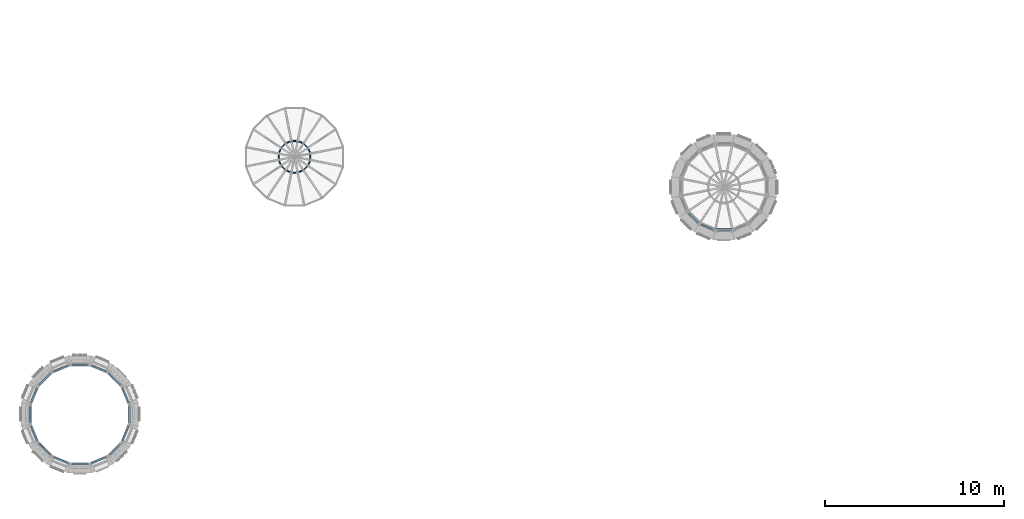
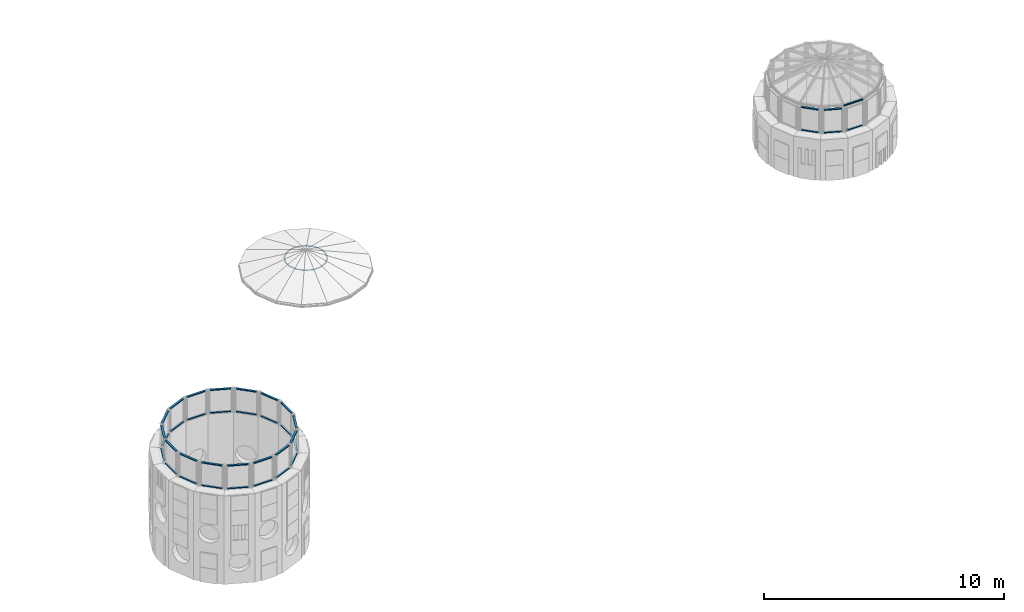
# One storey, part 16 of 36: 54 members, 19 elements without a shape of their own.
"""IFC4 building model written with IfcOpenShell, lengths in metres."""

from ifc_helpers import new_model, si_unit, direction, frame, origin, origin_2d, place, context, subcontext, project, spatial, hollow_rectangle, hollow_circle, extrude, material, material_profile, profile_set, type_object, element, aggregate, save


model = new_model("IFC4")

# Units and contexts
model_context = context("Model", 3, precision=1e-05, world=origin(), true_north=direction((0.0, 1.0)))
body_context = subcontext(model_context, "Body", "Model", "MODEL_VIEW")
ifc_project = project(units=[si_unit("LENGTHUNIT", "METRE"), si_unit("AREAUNIT", "SQUARE_METRE"), si_unit("VOLUMEUNIT", "CUBIC_METRE"), si_unit("PLANEANGLEUNIT", "RADIAN"), si_unit("MASSUNIT", "GRAM", prefix="KILO")], contexts=[model_context])

# Site, building, storey
site_placement = place(None, origin())
site = spatial("IfcSite", under=ifc_project, at=site_placement, CompositionType="ELEMENT")
building_placement = place(site_placement, origin())
building = spatial("IfcBuilding", under=site, at=building_placement, Name="Sun Court Science Centre", CompositionType="ELEMENT")
storey_placement = place(building_placement, frame((0.0, 0.0, 24.75)))
storey = spatial("IfcBuildingStorey", under=building, at=storey_placement, Name="L05", CompositionType="ELEMENT", Elevation=24.75)

# Curtain wall, members
ifc_material_1 = material(Name="Aluminium EN AW-6063 T6", Category="aluminium")
curtain_wall_type = type_object("IfcCurtainWallType", Name="Lantern clerestory curtain wall 1500", PredefinedType="NOTDEFINED", material=ifc_material_1)
curtain_wall_1_placement = place(storey_placement, origin())
curtain_wall_1 = element("IfcCurtainWall", 1, at=curtain_wall_1_placement, inside=storey, type_object=curtain_wall_type, Name="Curtain wall V2 C1 clerestory L05 01", PredefinedType="NOTDEFINED")
ifc_material_2 = material(Name="Aluminium EN AW-6063 T6", Category="aluminium")
ifc_material_profile_1 = material_profile(ifc_material_2, hollow_rectangle(XDim=0.050048828125, YDim=0.10009765625, WallThickness=0.00390625, InnerFilletRadius=0.00390625, OuterFilletRadius=0.006103515625, at=origin_2d()), Name="AL 50x100x4")
ifc_profile_set_1 = profile_set([ifc_material_profile_1], Name="Aluminium EN AW-6063 T6")
member_type_1 = type_object("IfcMemberType", Name="Curtain wall transom AL 50x100", PredefinedType="USERDEFINED", material=ifc_profile_set_1)
member_1_placement = place(storey_placement, frame((8.392578125, 12.972412109375, 4.22509765625), z_axis=(0.38272358974, -0.923862897759, 0.0), x_axis=(0.0, 0.0, 1.0)))
member_1 = element("IfcMember", 2, at=member_1_placement, type_object=member_type_1, Name="CW4-01 transom 1.1", ObjectType="TRANSOM", PredefinedType="USERDEFINED", context=body_context, shape_type="SweptSolid", body=[
    extrude(hollow_rectangle(XDim=0.050048828125, YDim=0.10009765625, WallThickness=0.00390625, InnerFilletRadius=0.00390625, OuterFilletRadius=0.006103515625, at=origin_2d()), origin(), (0.0, 0.0, 1.0), 0.88916015625),
])
member_2_placement = place(storey_placement, frame((8.392578125, 12.972412109375, 5.375), z_axis=(0.38272358974, -0.923862897759, 0.0), x_axis=(0.0, 0.0, 1.0)))
member_2 = element("IfcMember", 3, at=member_2_placement, type_object=member_type_1, Name="CW4-01 transom 1.2", ObjectType="TRANSOM", PredefinedType="USERDEFINED", context=body_context, shape_type="SweptSolid", body=[
    extrude(hollow_rectangle(XDim=0.050048828125, YDim=0.10009765625, WallThickness=0.00390625, InnerFilletRadius=0.00390625, OuterFilletRadius=0.006103515625, at=origin_2d()), origin(), (0.0, 0.0, 1.0), 0.88916015625),
])
aggregate(curtain_wall_1, [member_1, member_2])

curtain_wall_2_placement = place(storey_placement, origin())
curtain_wall_2 = element("IfcCurtainWall", 4, at=curtain_wall_2_placement, inside=storey, type_object=curtain_wall_type, Name="Curtain wall V2 C1 clerestory L05 02", PredefinedType="NOTDEFINED")
member_3_placement = place(storey_placement, frame((7.64697265625, 13.77587890625, 4.22509765625), z_axis=(0.707106781187, -0.707106781187, 0.0), x_axis=(0.0, 0.0, 1.0)))
member_3 = element("IfcMember", 5, at=member_3_placement, type_object=member_type_1, Name="CW4-02 transom 1.1", ObjectType="TRANSOM", PredefinedType="USERDEFINED", context=body_context, shape_type="SweptSolid", body=[
    extrude(hollow_rectangle(XDim=0.050048828125, YDim=0.10009765625, WallThickness=0.00390625, InnerFilletRadius=0.00390625, OuterFilletRadius=0.006103515625, at=origin_2d()), origin(), (0.0, 0.0, 1.0), 0.889404296875),
])
member_4_placement = place(storey_placement, frame((7.64697265625, 13.77587890625, 5.375), z_axis=(0.707106781187, -0.707106781187, 0.0), x_axis=(0.0, 0.0, 1.0)))
member_4 = element("IfcMember", 6, at=member_4_placement, type_object=member_type_1, Name="CW4-02 transom 1.2", ObjectType="TRANSOM", PredefinedType="USERDEFINED", context=body_context, shape_type="SweptSolid", body=[
    extrude(hollow_rectangle(XDim=0.050048828125, YDim=0.10009765625, WallThickness=0.00390625, InnerFilletRadius=0.00390625, OuterFilletRadius=0.006103515625, at=origin_2d()), origin(), (0.0, 0.0, 1.0), 0.889404296875),
])
aggregate(curtain_wall_2, [member_3, member_4])

curtain_wall_3_placement = place(storey_placement, origin())
curtain_wall_3 = element("IfcCurtainWall", 7, at=curtain_wall_3_placement, inside=storey, type_object=curtain_wall_type, Name="Curtain wall V2 C1 clerestory L05 03", PredefinedType="NOTDEFINED")
member_5_placement = place(storey_placement, frame((6.65087890625, 14.23291015625, 4.22509765625), z_axis=(0.923862897759, -0.38272358974, 0.0), x_axis=(0.0, 0.0, 1.0)))
member_5 = element("IfcMember", 8, at=member_5_placement, type_object=member_type_1, Name="CW4-03 transom 1.1", ObjectType="TRANSOM", PredefinedType="USERDEFINED", context=body_context, shape_type="SweptSolid", body=[
    extrude(hollow_rectangle(XDim=0.050048828125, YDim=0.10009765625, WallThickness=0.00390625, InnerFilletRadius=0.00390625, OuterFilletRadius=0.006103515625, at=origin_2d()), origin(), (0.0, 0.0, 1.0), 0.88916015625),
])
member_6_placement = place(storey_placement, frame((6.65087890625, 14.23291015625, 5.375), z_axis=(0.923862897759, -0.38272358974, 0.0), x_axis=(0.0, 0.0, 1.0)))
member_6 = element("IfcMember", 9, at=member_6_placement, type_object=member_type_1, Name="CW4-03 transom 1.2", ObjectType="TRANSOM", PredefinedType="USERDEFINED", context=body_context, shape_type="SweptSolid", body=[
    extrude(hollow_rectangle(XDim=0.050048828125, YDim=0.10009765625, WallThickness=0.00390625, InnerFilletRadius=0.00390625, OuterFilletRadius=0.006103515625, at=origin_2d()), origin(), (0.0, 0.0, 1.0), 0.88916015625),
])
aggregate(curtain_wall_3, [member_5, member_6])

curtain_wall_4_placement = place(storey_placement, origin())
curtain_wall_4 = element("IfcCurtainWall", 10, at=curtain_wall_4_placement, inside=storey, type_object=curtain_wall_type, Name="Curtain wall V2 C1 clerestory L05 04", PredefinedType="NOTDEFINED")
member_7_placement = place(storey_placement, frame((5.555419921875, 14.27392578125, 4.22509765625), z_axis=(1.0, 0.0, 0.0), x_axis=(0.0, 0.0, 1.0)))
member_7 = element("IfcMember", 11, at=member_7_placement, type_object=member_type_1, Name="CW4-04 transom 1.1", ObjectType="TRANSOM", PredefinedType="USERDEFINED", context=body_context, shape_type="SweptSolid", body=[
    extrude(hollow_rectangle(XDim=0.050048828125, YDim=0.10009765625, WallThickness=0.00390625, InnerFilletRadius=0.00390625, OuterFilletRadius=0.006103515625, at=origin_2d()), origin(), (0.0, 0.0, 1.0), 0.88916015625),
])
member_8_placement = place(storey_placement, frame((5.555419921875, 14.27392578125, 5.375), z_axis=(1.0, 0.0, 0.0), x_axis=(0.0, 0.0, 1.0)))
member_8 = element("IfcMember", 12, at=member_8_placement, type_object=member_type_1, Name="CW4-04 transom 1.2", ObjectType="TRANSOM", PredefinedType="USERDEFINED", context=body_context, shape_type="SweptSolid", body=[
    extrude(hollow_rectangle(XDim=0.050048828125, YDim=0.10009765625, WallThickness=0.00390625, InnerFilletRadius=0.00390625, OuterFilletRadius=0.006103515625, at=origin_2d()), origin(), (0.0, 0.0, 1.0), 0.88916015625),
])
aggregate(curtain_wall_4, [member_7, member_8])

curtain_wall_5_placement = place(storey_placement, origin())
curtain_wall_5 = element("IfcCurtainWall", 13, at=curtain_wall_5_placement, inside=storey, type_object=curtain_wall_type, Name="Curtain wall V2 C1 clerestory L05 05", PredefinedType="NOTDEFINED")
member_9_placement = place(storey_placement, frame((4.527587890625, 13.892578125, 4.22509765625), z_axis=(0.923862897759, 0.38272358974, 0.0), x_axis=(0.0, 0.0, 1.0)))
member_9 = element("IfcMember", 14, at=member_9_placement, type_object=member_type_1, Name="CW4-05 transom 1.1", ObjectType="TRANSOM", PredefinedType="USERDEFINED", context=body_context, shape_type="SweptSolid", body=[
    extrude(hollow_rectangle(XDim=0.050048828125, YDim=0.10009765625, WallThickness=0.00390625, InnerFilletRadius=0.00390625, OuterFilletRadius=0.006103515625, at=origin_2d()), origin(), (0.0, 0.0, 1.0), 0.88916015625),
])
member_10_placement = place(storey_placement, frame((4.527587890625, 13.892578125, 5.375), z_axis=(0.923862897759, 0.38272358974, 0.0), x_axis=(0.0, 0.0, 1.0)))
member_10 = element("IfcMember", 15, at=member_10_placement, type_object=member_type_1, Name="CW4-05 transom 1.2", ObjectType="TRANSOM", PredefinedType="USERDEFINED", context=body_context, shape_type="SweptSolid", body=[
    extrude(hollow_rectangle(XDim=0.050048828125, YDim=0.10009765625, WallThickness=0.00390625, InnerFilletRadius=0.00390625, OuterFilletRadius=0.006103515625, at=origin_2d()), origin(), (0.0, 0.0, 1.0), 0.88916015625),
])
aggregate(curtain_wall_5, [member_9, member_10])

curtain_wall_6_placement = place(storey_placement, origin())
curtain_wall_6 = element("IfcCurtainWall", 16, at=curtain_wall_6_placement, inside=storey, type_object=curtain_wall_type, Name="Curtain wall V2 C1 clerestory L05 06", PredefinedType="NOTDEFINED")
member_11_placement = place(storey_placement, frame((3.72412109375, 13.14697265625, 4.22509765625), z_axis=(0.707106781187, 0.707106781187, 0.0), x_axis=(0.0, 0.0, 1.0)))
member_11 = element("IfcMember", 17, at=member_11_placement, type_object=member_type_1, Name="CW4-06 transom 1.1", ObjectType="TRANSOM", PredefinedType="USERDEFINED", context=body_context, shape_type="SweptSolid", body=[
    extrude(hollow_rectangle(XDim=0.050048828125, YDim=0.10009765625, WallThickness=0.00390625, InnerFilletRadius=0.00390625, OuterFilletRadius=0.006103515625, at=origin_2d()), origin(), (0.0, 0.0, 1.0), 0.889404296875),
])
member_12_placement = place(storey_placement, frame((3.72412109375, 13.14697265625, 5.375), z_axis=(0.707106781187, 0.707106781187, 0.0), x_axis=(0.0, 0.0, 1.0)))
member_12 = element("IfcMember", 18, at=member_12_placement, type_object=member_type_1, Name="CW4-06 transom 1.2", ObjectType="TRANSOM", PredefinedType="USERDEFINED", context=body_context, shape_type="SweptSolid", body=[
    extrude(hollow_rectangle(XDim=0.050048828125, YDim=0.10009765625, WallThickness=0.00390625, InnerFilletRadius=0.00390625, OuterFilletRadius=0.006103515625, at=origin_2d()), origin(), (0.0, 0.0, 1.0), 0.889404296875),
])
aggregate(curtain_wall_6, [member_11, member_12])

curtain_wall_7_placement = place(storey_placement, origin())
curtain_wall_7 = element("IfcCurtainWall", 19, at=curtain_wall_7_placement, inside=storey, type_object=curtain_wall_type, Name="Curtain wall V2 C1 clerestory L05 07", PredefinedType="NOTDEFINED")
member_13_placement = place(storey_placement, frame((3.26708984375, 12.15087890625, 4.22509765625), z_axis=(0.38272358974, 0.923862897759, 0.0), x_axis=(0.0, 0.0, 1.0)))
member_13 = element("IfcMember", 20, at=member_13_placement, type_object=member_type_1, Name="CW4-07 transom 1.1", ObjectType="TRANSOM", PredefinedType="USERDEFINED", context=body_context, shape_type="SweptSolid", body=[
    extrude(hollow_rectangle(XDim=0.050048828125, YDim=0.10009765625, WallThickness=0.00390625, InnerFilletRadius=0.00390625, OuterFilletRadius=0.006103515625, at=origin_2d()), origin(), (0.0, 0.0, 1.0), 0.88916015625),
])
member_14_placement = place(storey_placement, frame((3.26708984375, 12.15087890625, 5.375), z_axis=(0.38272358974, 0.923862897759, 0.0), x_axis=(0.0, 0.0, 1.0)))
member_14 = element("IfcMember", 21, at=member_14_placement, type_object=member_type_1, Name="CW4-07 transom 1.2", ObjectType="TRANSOM", PredefinedType="USERDEFINED", context=body_context, shape_type="SweptSolid", body=[
    extrude(hollow_rectangle(XDim=0.050048828125, YDim=0.10009765625, WallThickness=0.00390625, InnerFilletRadius=0.00390625, OuterFilletRadius=0.006103515625, at=origin_2d()), origin(), (0.0, 0.0, 1.0), 0.88916015625),
])
aggregate(curtain_wall_7, [member_13, member_14])

curtain_wall_8_placement = place(storey_placement, origin())
curtain_wall_8 = element("IfcCurtainWall", 22, at=curtain_wall_8_placement, inside=storey, type_object=curtain_wall_type, Name="Curtain wall V2 C1 clerestory L05 08", PredefinedType="NOTDEFINED")
member_15_placement = place(storey_placement, frame((3.22607421875, 11.055419921875, 4.22509765625), z_axis=(0.0, 1.0, 0.0), x_axis=(0.0, 0.0, 1.0)))
member_15 = element("IfcMember", 23, at=member_15_placement, type_object=member_type_1, Name="CW4-08 transom 1.1", ObjectType="TRANSOM", PredefinedType="USERDEFINED", context=body_context, shape_type="SweptSolid", body=[
    extrude(hollow_rectangle(XDim=0.050048828125, YDim=0.10009765625, WallThickness=0.00390625, InnerFilletRadius=0.00390625, OuterFilletRadius=0.006103515625, at=origin_2d()), origin(), (0.0, 0.0, 1.0), 0.88916015625),
])
member_16_placement = place(storey_placement, frame((3.22607421875, 11.055419921875, 5.375), z_axis=(0.0, 1.0, 0.0), x_axis=(0.0, 0.0, 1.0)))
member_16 = element("IfcMember", 24, at=member_16_placement, type_object=member_type_1, Name="CW4-08 transom 1.2", ObjectType="TRANSOM", PredefinedType="USERDEFINED", context=body_context, shape_type="SweptSolid", body=[
    extrude(hollow_rectangle(XDim=0.050048828125, YDim=0.10009765625, WallThickness=0.00390625, InnerFilletRadius=0.00390625, OuterFilletRadius=0.006103515625, at=origin_2d()), origin(), (0.0, 0.0, 1.0), 0.88916015625),
])
aggregate(curtain_wall_8, [member_15, member_16])

curtain_wall_9_placement = place(storey_placement, origin())
curtain_wall_9 = element("IfcCurtainWall", 25, at=curtain_wall_9_placement, inside=storey, type_object=curtain_wall_type, Name="Curtain wall V2 C1 clerestory L05 09", PredefinedType="NOTDEFINED")
member_17_placement = place(storey_placement, frame((3.607421875, 10.027587890625, 4.22509765625), z_axis=(-0.38272358974, 0.923862897759, 0.0), x_axis=(0.0, 0.0, 1.0)))
member_17 = element("IfcMember", 26, at=member_17_placement, type_object=member_type_1, Name="CW4-09 transom 1.1", ObjectType="TRANSOM", PredefinedType="USERDEFINED", context=body_context, shape_type="SweptSolid", body=[
    extrude(hollow_rectangle(XDim=0.050048828125, YDim=0.10009765625, WallThickness=0.00390625, InnerFilletRadius=0.00390625, OuterFilletRadius=0.006103515625, at=origin_2d()), origin(), (0.0, 0.0, 1.0), 0.88916015625),
])
member_18_placement = place(storey_placement, frame((3.607421875, 10.027587890625, 5.375), z_axis=(-0.38272358974, 0.923862897759, 0.0), x_axis=(0.0, 0.0, 1.0)))
member_18 = element("IfcMember", 27, at=member_18_placement, type_object=member_type_1, Name="CW4-09 transom 1.2", ObjectType="TRANSOM", PredefinedType="USERDEFINED", context=body_context, shape_type="SweptSolid", body=[
    extrude(hollow_rectangle(XDim=0.050048828125, YDim=0.10009765625, WallThickness=0.00390625, InnerFilletRadius=0.00390625, OuterFilletRadius=0.006103515625, at=origin_2d()), origin(), (0.0, 0.0, 1.0), 0.88916015625),
])
aggregate(curtain_wall_9, [member_17, member_18])

curtain_wall_10_placement = place(storey_placement, origin())
curtain_wall_10 = element("IfcCurtainWall", 28, at=curtain_wall_10_placement, inside=storey, type_object=curtain_wall_type, Name="Curtain wall V2 C1 clerestory L05 10", PredefinedType="NOTDEFINED")
member_19_placement = place(storey_placement, frame((4.35302734375, 9.22412109375, 4.22509765625), z_axis=(-0.707106781187, 0.707106781187, 0.0), x_axis=(0.0, 0.0, 1.0)))
member_19 = element("IfcMember", 29, at=member_19_placement, type_object=member_type_1, Name="CW4-10 transom 1.1", ObjectType="TRANSOM", PredefinedType="USERDEFINED", context=body_context, shape_type="SweptSolid", body=[
    extrude(hollow_rectangle(XDim=0.050048828125, YDim=0.10009765625, WallThickness=0.00390625, InnerFilletRadius=0.00390625, OuterFilletRadius=0.006103515625, at=origin_2d()), origin(), (0.0, 0.0, 1.0), 0.889404296875),
])
member_20_placement = place(storey_placement, frame((4.35302734375, 9.22412109375, 5.375), z_axis=(-0.707106781187, 0.707106781187, 0.0), x_axis=(0.0, 0.0, 1.0)))
member_20 = element("IfcMember", 30, at=member_20_placement, type_object=member_type_1, Name="CW4-10 transom 1.2", ObjectType="TRANSOM", PredefinedType="USERDEFINED", context=body_context, shape_type="SweptSolid", body=[
    extrude(hollow_rectangle(XDim=0.050048828125, YDim=0.10009765625, WallThickness=0.00390625, InnerFilletRadius=0.00390625, OuterFilletRadius=0.006103515625, at=origin_2d()), origin(), (0.0, 0.0, 1.0), 0.889404296875),
])
aggregate(curtain_wall_10, [member_19, member_20])

curtain_wall_11_placement = place(storey_placement, origin())
curtain_wall_11 = element("IfcCurtainWall", 31, at=curtain_wall_11_placement, inside=storey, type_object=curtain_wall_type, Name="Curtain wall V2 C1 clerestory L05 11", PredefinedType="NOTDEFINED")
member_21_placement = place(storey_placement, frame((5.34912109375, 8.76708984375, 4.22509765625), z_axis=(-0.923862897759, 0.38272358974, 0.0), x_axis=(0.0, 0.0, 1.0)))
member_21 = element("IfcMember", 32, at=member_21_placement, type_object=member_type_1, Name="CW4-11 transom 1.1", ObjectType="TRANSOM", PredefinedType="USERDEFINED", context=body_context, shape_type="SweptSolid", body=[
    extrude(hollow_rectangle(XDim=0.050048828125, YDim=0.10009765625, WallThickness=0.00390625, InnerFilletRadius=0.00390625, OuterFilletRadius=0.006103515625, at=origin_2d()), origin(), (0.0, 0.0, 1.0), 0.88916015625),
])
member_22_placement = place(storey_placement, frame((5.34912109375, 8.76708984375, 5.375), z_axis=(-0.923862897759, 0.38272358974, 0.0), x_axis=(0.0, 0.0, 1.0)))
member_22 = element("IfcMember", 33, at=member_22_placement, type_object=member_type_1, Name="CW4-11 transom 1.2", ObjectType="TRANSOM", PredefinedType="USERDEFINED", context=body_context, shape_type="SweptSolid", body=[
    extrude(hollow_rectangle(XDim=0.050048828125, YDim=0.10009765625, WallThickness=0.00390625, InnerFilletRadius=0.00390625, OuterFilletRadius=0.006103515625, at=origin_2d()), origin(), (0.0, 0.0, 1.0), 0.88916015625),
])
aggregate(curtain_wall_11, [member_21, member_22])

curtain_wall_12_placement = place(storey_placement, origin())
curtain_wall_12 = element("IfcCurtainWall", 34, at=curtain_wall_12_placement, inside=storey, type_object=curtain_wall_type, Name="Curtain wall V2 C1 clerestory L05 12", PredefinedType="NOTDEFINED")
member_23_placement = place(storey_placement, frame((6.444580078125, 8.72607421875, 4.22509765625), z_axis=(-1.0, 0.0, 0.0), x_axis=(0.0, 0.0, 1.0)))
member_23 = element("IfcMember", 35, at=member_23_placement, type_object=member_type_1, Name="CW4-12 transom 1.1", ObjectType="TRANSOM", PredefinedType="USERDEFINED", context=body_context, shape_type="SweptSolid", body=[
    extrude(hollow_rectangle(XDim=0.050048828125, YDim=0.10009765625, WallThickness=0.00390625, InnerFilletRadius=0.00390625, OuterFilletRadius=0.006103515625, at=origin_2d()), origin(), (0.0, 0.0, 1.0), 0.88916015625),
])
member_24_placement = place(storey_placement, frame((6.444580078125, 8.72607421875, 5.375), z_axis=(-1.0, 0.0, 0.0), x_axis=(0.0, 0.0, 1.0)))
member_24 = element("IfcMember", 36, at=member_24_placement, type_object=member_type_1, Name="CW4-12 transom 1.2", ObjectType="TRANSOM", PredefinedType="USERDEFINED", context=body_context, shape_type="SweptSolid", body=[
    extrude(hollow_rectangle(XDim=0.050048828125, YDim=0.10009765625, WallThickness=0.00390625, InnerFilletRadius=0.00390625, OuterFilletRadius=0.006103515625, at=origin_2d()), origin(), (0.0, 0.0, 1.0), 0.88916015625),
])
aggregate(curtain_wall_12, [member_23, member_24])

curtain_wall_13_placement = place(storey_placement, origin())
curtain_wall_13 = element("IfcCurtainWall", 37, at=curtain_wall_13_placement, inside=storey, type_object=curtain_wall_type, Name="Curtain wall V2 C1 clerestory L05 13", PredefinedType="NOTDEFINED")
member_25_placement = place(storey_placement, frame((7.472412109375, 9.107421875, 4.22509765625), z_axis=(-0.923862897759, -0.38272358974, 0.0), x_axis=(0.0, 0.0, 1.0)))
member_25 = element("IfcMember", 38, at=member_25_placement, type_object=member_type_1, Name="CW4-13 transom 1.1", ObjectType="TRANSOM", PredefinedType="USERDEFINED", context=body_context, shape_type="SweptSolid", body=[
    extrude(hollow_rectangle(XDim=0.050048828125, YDim=0.10009765625, WallThickness=0.00390625, InnerFilletRadius=0.00390625, OuterFilletRadius=0.006103515625, at=origin_2d()), origin(), (0.0, 0.0, 1.0), 0.88916015625),
])
member_26_placement = place(storey_placement, frame((7.472412109375, 9.107421875, 5.375), z_axis=(-0.923862897759, -0.38272358974, 0.0), x_axis=(0.0, 0.0, 1.0)))
member_26 = element("IfcMember", 39, at=member_26_placement, type_object=member_type_1, Name="CW4-13 transom 1.2", ObjectType="TRANSOM", PredefinedType="USERDEFINED", context=body_context, shape_type="SweptSolid", body=[
    extrude(hollow_rectangle(XDim=0.050048828125, YDim=0.10009765625, WallThickness=0.00390625, InnerFilletRadius=0.00390625, OuterFilletRadius=0.006103515625, at=origin_2d()), origin(), (0.0, 0.0, 1.0), 0.88916015625),
])
aggregate(curtain_wall_13, [member_25, member_26])

curtain_wall_14_placement = place(storey_placement, origin())
curtain_wall_14 = element("IfcCurtainWall", 40, at=curtain_wall_14_placement, inside=storey, type_object=curtain_wall_type, Name="Curtain wall V2 C1 clerestory L05 14", PredefinedType="NOTDEFINED")
member_27_placement = place(storey_placement, frame((8.27587890625, 9.85302734375, 4.22509765625), z_axis=(-0.707106781187, -0.707106781187, 0.0), x_axis=(0.0, 0.0, 1.0)))
member_27 = element("IfcMember", 41, at=member_27_placement, type_object=member_type_1, Name="CW4-14 transom 1.1", ObjectType="TRANSOM", PredefinedType="USERDEFINED", context=body_context, shape_type="SweptSolid", body=[
    extrude(hollow_rectangle(XDim=0.050048828125, YDim=0.10009765625, WallThickness=0.00390625, InnerFilletRadius=0.00390625, OuterFilletRadius=0.006103515625, at=origin_2d()), origin(), (0.0, 0.0, 1.0), 0.889404296875),
])
member_28_placement = place(storey_placement, frame((8.27587890625, 9.85302734375, 5.375), z_axis=(-0.707106781187, -0.707106781187, 0.0), x_axis=(0.0, 0.0, 1.0)))
member_28 = element("IfcMember", 42, at=member_28_placement, type_object=member_type_1, Name="CW4-14 transom 1.2", ObjectType="TRANSOM", PredefinedType="USERDEFINED", context=body_context, shape_type="SweptSolid", body=[
    extrude(hollow_rectangle(XDim=0.050048828125, YDim=0.10009765625, WallThickness=0.00390625, InnerFilletRadius=0.00390625, OuterFilletRadius=0.006103515625, at=origin_2d()), origin(), (0.0, 0.0, 1.0), 0.889404296875),
])
aggregate(curtain_wall_14, [member_27, member_28])

curtain_wall_15_placement = place(storey_placement, origin())
curtain_wall_15 = element("IfcCurtainWall", 43, at=curtain_wall_15_placement, inside=storey, type_object=curtain_wall_type, Name="Curtain wall V2 C1 clerestory L05 15", PredefinedType="NOTDEFINED")
member_29_placement = place(storey_placement, frame((8.73291015625, 10.84912109375, 4.22509765625), z_axis=(-0.38272358974, -0.923862897759, 0.0), x_axis=(0.0, 0.0, 1.0)))
member_29 = element("IfcMember", 44, at=member_29_placement, type_object=member_type_1, Name="CW4-15 transom 1.1", ObjectType="TRANSOM", PredefinedType="USERDEFINED", context=body_context, shape_type="SweptSolid", body=[
    extrude(hollow_rectangle(XDim=0.050048828125, YDim=0.10009765625, WallThickness=0.00390625, InnerFilletRadius=0.00390625, OuterFilletRadius=0.006103515625, at=origin_2d()), origin(), (0.0, 0.0, 1.0), 0.88916015625),
])
member_30_placement = place(storey_placement, frame((8.73291015625, 10.84912109375, 5.375), z_axis=(-0.38272358974, -0.923862897759, 0.0), x_axis=(0.0, 0.0, 1.0)))
member_30 = element("IfcMember", 45, at=member_30_placement, type_object=member_type_1, Name="CW4-15 transom 1.2", ObjectType="TRANSOM", PredefinedType="USERDEFINED", context=body_context, shape_type="SweptSolid", body=[
    extrude(hollow_rectangle(XDim=0.050048828125, YDim=0.10009765625, WallThickness=0.00390625, InnerFilletRadius=0.00390625, OuterFilletRadius=0.006103515625, at=origin_2d()), origin(), (0.0, 0.0, 1.0), 0.88916015625),
])
aggregate(curtain_wall_15, [member_29, member_30])

curtain_wall_16_placement = place(storey_placement, origin())
curtain_wall_16 = element("IfcCurtainWall", 46, at=curtain_wall_16_placement, inside=storey, type_object=curtain_wall_type, Name="Curtain wall V2 C1 clerestory L05 16", PredefinedType="NOTDEFINED")
member_31_placement = place(storey_placement, frame((8.77392578125, 11.944580078125, 4.22509765625), z_axis=(0.0, -1.0, 0.0), x_axis=(0.0, 0.0, 1.0)))
member_31 = element("IfcMember", 47, at=member_31_placement, type_object=member_type_1, Name="CW4-16 transom 1.1", ObjectType="TRANSOM", PredefinedType="USERDEFINED", context=body_context, shape_type="SweptSolid", body=[
    extrude(hollow_rectangle(XDim=0.050048828125, YDim=0.10009765625, WallThickness=0.00390625, InnerFilletRadius=0.00390625, OuterFilletRadius=0.006103515625, at=origin_2d()), origin(), (0.0, 0.0, 1.0), 0.88916015625),
])
member_32_placement = place(storey_placement, frame((8.77392578125, 11.944580078125, 5.375), z_axis=(0.0, -1.0, 0.0), x_axis=(0.0, 0.0, 1.0)))
member_32 = element("IfcMember", 48, at=member_32_placement, type_object=member_type_1, Name="CW4-16 transom 1.2", ObjectType="TRANSOM", PredefinedType="USERDEFINED", context=body_context, shape_type="SweptSolid", body=[
    extrude(hollow_rectangle(XDim=0.050048828125, YDim=0.10009765625, WallThickness=0.00390625, InnerFilletRadius=0.00390625, OuterFilletRadius=0.006103515625, at=origin_2d()), origin(), (0.0, 0.0, 1.0), 0.88916015625),
])
aggregate(curtain_wall_16, [member_31, member_32])

curtain_wall_17_placement = place(storey_placement, origin())
curtain_wall_17 = element("IfcCurtainWall", 49, at=curtain_wall_17_placement, inside=storey, type_object=curtain_wall_type, Name="Curtain wall V2 C4 clerestory L05 10", PredefinedType="NOTDEFINED")
member_33_placement = place(storey_placement, frame((40.54736328125, 22.215087890625, 1.77490234375), z_axis=(-0.707106781187, 0.707106781187, 0.0), x_axis=(0.0, 0.0, 1.0)))
member_33 = element("IfcMember", 50, at=member_33_placement, type_object=member_type_1, Name="CW4-58 transom 1.1", ObjectType="TRANSOM", PredefinedType="USERDEFINED", context=body_context, shape_type="SweptSolid", body=[
    extrude(hollow_rectangle(XDim=0.050048828125, YDim=0.10009765625, WallThickness=0.00390625, InnerFilletRadius=0.00390625, OuterFilletRadius=0.006103515625, at=origin_2d()), origin(), (0.0, 0.0, 1.0), 0.752685546875),
])
member_34_placement = place(storey_placement, frame((40.54736328125, 22.215087890625, 2.925048828125), z_axis=(-0.707106781187, 0.707106781187, 0.0), x_axis=(0.0, 0.0, 1.0)))
member_34 = element("IfcMember", 51, at=member_34_placement, type_object=member_type_1, Name="CW4-58 transom 1.2", ObjectType="TRANSOM", PredefinedType="USERDEFINED", context=body_context, shape_type="SweptSolid", body=[
    extrude(hollow_rectangle(XDim=0.050048828125, YDim=0.10009765625, WallThickness=0.00390625, InnerFilletRadius=0.00390625, OuterFilletRadius=0.006103515625, at=origin_2d()), origin(), (0.0, 0.0, 1.0), 0.752685546875),
])
aggregate(curtain_wall_17, [member_33, member_34])

curtain_wall_18_placement = place(storey_placement, origin())
curtain_wall_18 = element("IfcCurtainWall", 52, at=curtain_wall_18_placement, inside=storey, type_object=curtain_wall_type, Name="Curtain wall V2 C4 clerestory L05 11", PredefinedType="NOTDEFINED")
member_35_placement = place(storey_placement, frame((41.41748046875, 21.810302734375, 1.77490234375), z_axis=(-0.923842854397, 0.382771969167, 0.0), x_axis=(0.0, 0.0, 1.0)))
member_35 = element("IfcMember", 53, at=member_35_placement, type_object=member_type_1, Name="CW4-59 transom 1.1", ObjectType="TRANSOM", PredefinedType="USERDEFINED", context=body_context, shape_type="SweptSolid", body=[
    extrude(hollow_rectangle(XDim=0.050048828125, YDim=0.10009765625, WallThickness=0.00390625, InnerFilletRadius=0.00390625, OuterFilletRadius=0.006103515625, at=origin_2d()), origin(), (0.0, 0.0, 1.0), 0.752685546875),
])
member_36_placement = place(storey_placement, frame((41.41748046875, 21.810302734375, 2.925048828125), z_axis=(-0.923842854397, 0.382771969167, 0.0), x_axis=(0.0, 0.0, 1.0)))
member_36 = element("IfcMember", 54, at=member_36_placement, type_object=member_type_1, Name="CW4-59 transom 1.2", ObjectType="TRANSOM", PredefinedType="USERDEFINED", context=body_context, shape_type="SweptSolid", body=[
    extrude(hollow_rectangle(XDim=0.050048828125, YDim=0.10009765625, WallThickness=0.00390625, InnerFilletRadius=0.00390625, OuterFilletRadius=0.006103515625, at=origin_2d()), origin(), (0.0, 0.0, 1.0), 0.752685546875),
])
aggregate(curtain_wall_18, [member_35, member_36])

# Curtain wall, member
curtain_wall_19_placement = place(storey_placement, origin())
curtain_wall_19 = element("IfcCurtainWall", 55, at=curtain_wall_19_placement, inside=storey, type_object=curtain_wall_type, Name="Curtain wall V2 C4 clerestory L05 12", PredefinedType="NOTDEFINED")
member_37_placement = place(storey_placement, frame((42.376220703125, 21.769287109375, 1.77490234375), z_axis=(-1.0, 0.0, 0.0), x_axis=(0.0, 0.0, 1.0)))
member_37 = element("IfcMember", 56, at=member_37_placement, type_object=member_type_1, Name="CW4-60 transom 1.1", ObjectType="TRANSOM", PredefinedType="USERDEFINED", context=body_context, shape_type="SweptSolid", body=[
    extrude(hollow_rectangle(XDim=0.050048828125, YDim=0.10009765625, WallThickness=0.00390625, InnerFilletRadius=0.00390625, OuterFilletRadius=0.006103515625, at=origin_2d()), origin(), (0.0, 0.0, 1.0), 0.75244140625),
])
aggregate(curtain_wall_19, [member_37])

# Members
ifc_material_3 = material(Name="Steel S355", Category="steel")
ifc_material_profile_2 = material_profile(ifc_material_3, hollow_circle(Radius=0.04443359375, WallThickness=0.0048828125, at=origin_2d()), Name="CHS 88.9x5")
ifc_profile_set_2 = profile_set([ifc_material_profile_2], Name="Steel S355")
member_type_2 = type_object("IfcMemberType", Name="Lantern base ring CHS 88.9x5", PredefinedType="CHORD", material=ifc_profile_set_2)
member_38_placement = place(storey_placement, frame((41.5341796875, 21.857666015625, 2.994384765625), z_axis=(1.0, 0.0, 0.0), x_axis=(0.0, 1.0, 0.0)))
element("IfcMember", 57, at=member_38_placement, inside=storey, type_object=member_type_2, Name="Cone 4 lantern base ring 12", PredefinedType="CHORD", context=body_context, shape_type="SweptSolid", body=[
    extrude(hollow_circle(Radius=0.04443359375, WallThickness=0.0048828125, at=origin_2d()), origin(), (0.0, 0.0, 1.0), 0.931640625),
])
ifc_material_4 = material(Name="Steel S355", Category="steel")
ifc_material_profile_3 = material_profile(ifc_material_4, hollow_circle(Radius=0.030029296875, WallThickness=0.0048828125, at=origin_2d()), Name="CHS 60.3x5")
ifc_profile_set_3 = profile_set([ifc_material_profile_3], Name="Steel S355")
member_type_3 = type_object("IfcMemberType", Name="Lantern vent ring CHS 60.3x5", PredefinedType="CHORD", material=ifc_profile_set_3)
member_39_placement = place(storey_placement, frame((18.8828125, 26.07568359375, 1.033935546875), z_axis=(-0.383232141812, 0.923652058668, 0.0), x_axis=(-0.923652058668, -0.383232141812, 0.0)))
element("IfcMember", 58, at=member_39_placement, inside=storey, type_object=member_type_3, Name="Cone 2 lantern vent ring 1", PredefinedType="CHORD", context=body_context, shape_type="SweptSolid", body=[
    extrude(hollow_circle(Radius=0.030029296875, WallThickness=0.0048828125, at=origin_2d()), origin(), (0.0, 0.0, 1.0), 0.35107421875),
])
member_40_placement = place(storey_placement, frame((18.748291015625, 26.39990234375, 1.033935546875), z_axis=(-0.706759223235, 0.70745416839, 0.0), x_axis=(-0.70745416839, -0.706759223235, 0.0)))
element("IfcMember", 59, at=member_40_placement, inside=storey, type_object=member_type_3, Name="Cone 2 lantern vent ring 2", PredefinedType="CHORD", context=body_context, shape_type="SweptSolid", body=[
    extrude(hollow_circle(Radius=0.030029296875, WallThickness=0.0048828125, at=origin_2d()), origin(), (0.0, 0.0, 1.0), 0.351318359375),
])
for number, where, z_axis, x_axis, name in (
    (60, (18.5, 26.6484375, 1.033935546875), (-0.923999891182, 0.38239273149, 0.0), (-0.38239273149, -0.923999891182, 0.0), "Cone 2 lantern vent ring 3"),
    (61, (18.175537109375, 26.78271484375, 1.033935546875), (-1.0, 0.0, 0.0), (0.0, -1.0, 0.0), "Cone 2 lantern vent ring 4"),
    (62, (17.824462890625, 26.78271484375, 1.033935546875), (-0.923999891182, -0.38239273149, 0.0), (0.38239273149, -0.923999891182, 0.0), "Cone 2 lantern vent ring 5"),
):
    element("IfcMember", number, at=place(storey_placement, frame(where, z_axis=z_axis, x_axis=x_axis)), inside=storey, type_object=member_type_3, Name=name, PredefinedType="CHORD", context=body_context, shape_type="SweptSolid", body=[
        extrude(hollow_circle(Radius=0.030029296875, WallThickness=0.0048828125, at=origin_2d()), origin(), (0.0, 0.0, 1.0), 0.35107421875),
    ])
member_41_placement = place(storey_placement, frame((17.5, 26.6484375, 1.033935546875), z_axis=(-0.706759223235, -0.70745416839, 0.0), x_axis=(0.70745416839, -0.706759223235, 0.0)))
element("IfcMember", 63, at=member_41_placement, inside=storey, type_object=member_type_3, Name="Cone 2 lantern vent ring 6", PredefinedType="CHORD", context=body_context, shape_type="SweptSolid", body=[
    extrude(hollow_circle(Radius=0.030029296875, WallThickness=0.0048828125, at=origin_2d()), origin(), (0.0, 0.0, 1.0), 0.351318359375),
])
member_42_placement = place(storey_placement, frame((17.251708984375, 26.39990234375, 1.033935546875), z_axis=(-0.383232141812, -0.923652058668, 0.0), x_axis=(0.923652058668, -0.383232141812, 0.0)))
element("IfcMember", 64, at=member_42_placement, inside=storey, type_object=member_type_3, Name="Cone 2 lantern vent ring 7", PredefinedType="CHORD", context=body_context, shape_type="SweptSolid", body=[
    extrude(hollow_circle(Radius=0.030029296875, WallThickness=0.0048828125, at=origin_2d()), origin(), (0.0, 0.0, 1.0), 0.35107421875),
])
for number, where, z_axis, x_axis, name in (
    (65, (17.1171875, 26.07568359375, 1.033935546875), (0.0, -1.0, 0.0), (1.0, 0.0, 0.0), "Cone 2 lantern vent ring 8"),
    (66, (17.1171875, 25.724365234375, 1.033935546875), (0.382986090474, -0.923754109329, 0.0), (0.923754109329, 0.382986090474, 0.0), "Cone 2 lantern vent ring 9"),
):
    element("IfcMember", number, at=place(storey_placement, frame(where, z_axis=z_axis, x_axis=x_axis)), inside=storey, type_object=member_type_3, Name=name, PredefinedType="CHORD", context=body_context, shape_type="SweptSolid", body=[
        extrude(hollow_circle(Radius=0.030029296875, WallThickness=0.0048828125, at=origin_2d()), origin(), (0.0, 0.0, 1.0), 0.351318359375),
    ])
for number, where, z_axis, x_axis, name in (
    (67, (17.251708984375, 25.39990234375, 1.033935546875), (0.707106781187, -0.707106781187, 0.0), (0.707106781187, 0.707106781187, 0.0), "Cone 2 lantern vent ring 10"),
    (68, (17.5, 25.151611328125, 1.033935546875), (0.923999891182, -0.38239273149, 0.0), (0.38239273149, 0.923999891182, 0.0), "Cone 2 lantern vent ring 11"),
    (69, (17.824462890625, 25.017333984375, 1.033935546875), (1.0, 0.0, 0.0), (0.0, 1.0, 0.0), "Cone 2 lantern vent ring 12"),
    (70, (18.175537109375, 25.017333984375, 1.033935546875), (0.923999891182, 0.38239273149, 0.0), (-0.38239273149, 0.923999891182, 0.0), "Cone 2 lantern vent ring 13"),
    (71, (18.5, 25.151611328125, 1.033935546875), (0.707106781187, 0.707106781187, 0.0), (-0.707106781187, 0.707106781187, 0.0), "Cone 2 lantern vent ring 14"),
):
    element("IfcMember", number, at=place(storey_placement, frame(where, z_axis=z_axis, x_axis=x_axis)), inside=storey, type_object=member_type_3, Name=name, PredefinedType="CHORD", context=body_context, shape_type="SweptSolid", body=[
        extrude(hollow_circle(Radius=0.030029296875, WallThickness=0.0048828125, at=origin_2d()), origin(), (0.0, 0.0, 1.0), 0.35107421875),
    ])
for number, where, z_axis, x_axis, name in (
    (72, (18.748291015625, 25.39990234375, 1.033935546875), (0.382986090474, 0.923754109329, 0.0), (-0.923754109329, 0.382986090474, 0.0), "Cone 2 lantern vent ring 15"),
    (73, (18.8828125, 25.724365234375, 1.033935546875), (0.0, 1.0, 0.0), (-1.0, 0.0, 0.0), "Cone 2 lantern vent ring 16"),
):
    element("IfcMember", number, at=place(storey_placement, frame(where, z_axis=z_axis, x_axis=x_axis)), inside=storey, type_object=member_type_3, Name=name, PredefinedType="CHORD", context=body_context, shape_type="SweptSolid", body=[
        extrude(hollow_circle(Radius=0.030029296875, WallThickness=0.0048828125, at=origin_2d()), origin(), (0.0, 0.0, 1.0), 0.351318359375),
    ])

save(model, "model.ifc")
